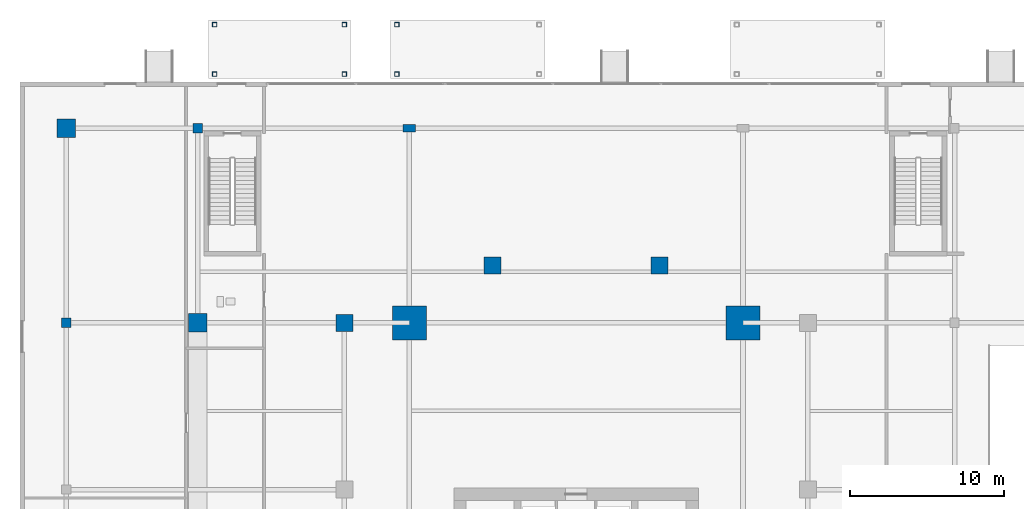
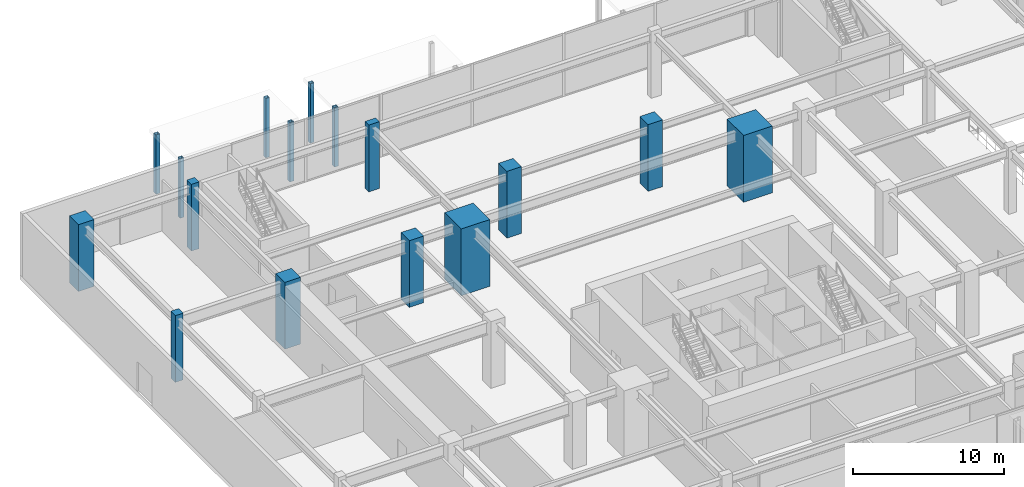
# One storey, part 3 of 28: 16 columns.
"""IFC4 building model written with IfcOpenShell, lengths in metres."""

import ifcopenshell
import ifcopenshell.guid

model = None  # the IFC model being written
_history = None  # IfcOwnerHistory: only IFC2X3 demands one
_inside = {}  # id of a spatial element -> (the spatial element, [elements in it])
_under = {}  # id of a project, library or spatial element -> (it, [spatial elements below it])
_declared = {}  # id of a project -> (the project, [libraries it declares])
_typed = {}  # id of a type object -> (the type object, [elements of that type])
_made_of = {}  # id of a material, layer set ... -> (it, [elements and type objects made of it])


def new_model(schema):
    """Start an empty IFC model of exactly this schema.

    Asked for "IFC4X3", IfcOpenShell would pick the latest addendum, in which some entities
    have other attributes; the version numbers below select the first issue.
    IFC2X3 requires an IfcOwnerHistory on every rooted entity: one is made here for all.
    """
    global model, _history
    if schema == "IFC4X3":
        model = ifcopenshell.file(schema_version=(4, 3, 0, 0))
    else:
        model = ifcopenshell.file(schema=schema)
    _inside.clear()
    _under.clear()
    _declared.clear()
    _typed.clear()
    _made_of.clear()
    _history = None
    if model.schema == "IFC2X3":
        org = make("IfcOrganization", Name="unknown")
        user = make(
            "IfcPersonAndOrganization",
            ThePerson=make("IfcPerson", FamilyName="unknown"),
            TheOrganization=org,
        )
        app = make(
            "IfcApplication",
            ApplicationDeveloper=org,
            Version="unknown",
            ApplicationFullName="unknown",
            ApplicationIdentifier="unknown",
        )
        _history = make(
            "IfcOwnerHistory",
            OwningUser=user,
            OwningApplication=app,
            ChangeAction="ADDED",
            CreationDate=0,
        )
    return model


def make(cls, **values):
    """One entity of the class cls with the attributes given. An attribute that is None is left unset."""
    return model.create_entity(
        cls, **{name: value for name, value in values.items() if value is not None}
    )


def rooted(cls, **values):
    """An entity with a GlobalId (a new one), such as an element, a storey or a relation."""
    return make(cls, GlobalId=ifcopenshell.guid.new(), OwnerHistory=_history, **values)


def si_unit(unit_type, name, prefix=None):
    """IfcSIUnit, for example si_unit("LENGTHUNIT", "METRE", prefix="MILLI")."""
    return make("IfcSIUnit", UnitType=unit_type, Prefix=prefix, Name=name)


def assignment(units):
    """IfcUnitAssignment: the units of a project."""
    return None if units is None else make("IfcUnitAssignment", Units=units)


def point(xyz):
    """IfcCartesianPoint."""
    return None if xyz is None else make("IfcCartesianPoint", Coordinates=xyz)


def direction(xyz):
    """IfcDirection."""
    return None if xyz is None else make("IfcDirection", DirectionRatios=xyz)


def frame(location, z_axis=None, x_axis=None):
    """IfcAxis2Placement3D, a coordinate frame: its origin and axes. An axis left out is left unset."""
    return make(
        "IfcAxis2Placement3D",
        Location=point(location),
        Axis=direction(z_axis),
        RefDirection=direction(x_axis),
    )


def frame_2d(location, x_axis=None):
    """IfcAxis2Placement2D, a coordinate frame in the plane: its origin and x axis."""
    return make(
        "IfcAxis2Placement2D", Location=point(location), RefDirection=direction(x_axis)
    )


def origin():
    """The frame at (0, 0, 0) with its axes left unset."""
    return frame((0.0, 0.0, 0.0))


def origin_2d():
    """The frame at (0, 0) in the plane with its x axis left unset."""
    return frame_2d((0.0, 0.0))


def place(relative_to, where):
    """IfcLocalPlacement: puts the frame where relative to a parent placement (None: the world)."""
    return make(
        "IfcLocalPlacement", PlacementRelTo=relative_to, RelativePlacement=where
    )


def context(
    kind, dimensions, precision=None, world=None, true_north=None, identifier=None
):
    """IfcGeometricRepresentationContext, for example the 3D "Model" context."""
    return make(
        "IfcGeometricRepresentationContext",
        ContextIdentifier=identifier,
        ContextType=kind,
        CoordinateSpaceDimension=dimensions,
        Precision=precision,
        WorldCoordinateSystem=world,
        TrueNorth=true_north,
    )


def subcontext(parent, identifier, kind, view, scale=None):
    """IfcGeometricRepresentationSubContext, for example "Body" below "Model"."""
    return make(
        "IfcGeometricRepresentationSubContext",
        ContextIdentifier=identifier,
        ContextType=kind,
        ParentContext=parent,
        TargetScale=scale,
        TargetView=view,
    )


def project(units=None, contexts=None):
    """IfcProject with its units and contexts."""
    return rooted(
        "IfcProject",
        Name="project",
        RepresentationContexts=contexts,
        UnitsInContext=assignment(units),
    )


def spatial(cls, under=None, at=None, **own):
    """A site, building, storey or space (cls), placed at a placement, below another one or the project."""
    s = rooted(cls, ObjectPlacement=at, **own)
    if under is not None:
        _under.setdefault(under.id(), (under, []))[1].append(s)
    return s


def profile(cls, at=None, kind="AREA", **sizes):
    """A parametric profile (cls). Its sizes go by their IFC names, for example OverallWidth=200.0."""
    return make(cls, ProfileType=kind, Position=at, **sizes)


def rectangle(**sizes):
    """IfcRectangleProfileDef."""
    return profile("IfcRectangleProfileDef", **sizes)


def hollow_rectangle(**sizes):
    """IfcRectangleHollowProfileDef."""
    return profile("IfcRectangleHollowProfileDef", **sizes)


def extrude(swept, where, along, depth):
    """IfcExtrudedAreaSolid: the profile swept, set in the frame where, extruded along a direction by depth."""
    return make(
        "IfcExtrudedAreaSolid",
        SweptArea=swept,
        Position=where,
        ExtrudedDirection=direction(along),
        Depth=depth,
    )


def shape(context_of_items, identifier, shape_type, items):
    """IfcShapeRepresentation: the items that make up one representation, for example the "Body"."""
    return make(
        "IfcShapeRepresentation",
        ContextOfItems=context_of_items,
        RepresentationIdentifier=identifier,
        RepresentationType=shape_type,
        Items=items,
    )


def source(mapping_origin, context_of_items, identifier, shape_type, items):
    """IfcRepresentationMap: a shape defined once, which mapped items show again and again."""
    return make(
        "IfcRepresentationMap",
        MappingOrigin=mapping_origin,
        MappedRepresentation=shape(context_of_items, identifier, shape_type, items),
    )


def transform(
    local_origin,
    x_axis=None,
    y_axis=None,
    z_axis=None,
    scale=None,
    scale2=None,
    scale3=None,
    uniform=True,
):
    """IfcCartesianTransformationOperator3D, or its non-uniform kind. x_axis, y_axis, z_axis: its Axis1, 2, 3."""
    if uniform:
        return make(
            "IfcCartesianTransformationOperator3D",
            Axis1=direction(x_axis),
            Axis2=direction(y_axis),
            LocalOrigin=point(local_origin),
            Scale=scale,
            Axis3=direction(z_axis),
        )
    return make(
        "IfcCartesianTransformationOperator3DnonUniform",
        Axis1=direction(x_axis),
        Axis2=direction(y_axis),
        LocalOrigin=point(local_origin),
        Scale=scale,
        Axis3=direction(z_axis),
        Scale2=scale2,
        Scale3=scale3,
    )


def mapped(mapping_source, mapping_target):
    """IfcMappedItem: shows the shape of a source again, moved by a transform."""
    return make(
        "IfcMappedItem", MappingSource=mapping_source, MappingTarget=mapping_target
    )


def material(Name=None, Category=None):
    """IfcMaterial."""
    return make("IfcMaterial", Name=Name, Category=Category)


def material_profile(
    of_material, cross_section, Name=None, Category=None, Priority=None
):
    """IfcMaterialProfile: a cross section and its material."""
    return make(
        "IfcMaterialProfile",
        Name=Name,
        Material=of_material,
        Profile=cross_section,
        Priority=Priority,
        Category=Category,
    )


def profile_set(profiles, Name=None, composite=None):
    """IfcMaterialProfileSet."""
    return make(
        "IfcMaterialProfileSet",
        Name=Name,
        MaterialProfiles=profiles,
        CompositeProfile=composite,
    )


def made_of(thing, what):
    """Note that an element or type object is made of a material, layer set ...; save() writes the relation."""
    if what is not None:
        _made_of.setdefault(what.id(), (what, []))[1].append(thing)
    return thing


def type_object(cls, material=None, **own):
    """A type object (cls), such as IfcWallType, which elements share."""
    return made_of(rooted(cls, **own), material)


def type_shapes(of_type, sources):
    """Give a type object the sources (RepresentationMaps) that its elements show as mapped items."""
    of_type.RepresentationMaps = sources


def element(
    cls,
    number,
    at=None,
    inside=None,
    cuts=None,
    type_object=None,
    material=None,
    context=None,
    identifier="Body",
    shape_type=None,
    held_by="IfcProductDefinitionShape",
    body=None,
    shapes=None,
    **own,
):
    """One element of the class cls, such as IfcWall. Its Tag is "e" and its number.

    at: its placement. inside: the storey or other place that contains it. cuts: it is an
    opening in that element (IfcRelVoidsElement). A single representation is given by context,
    identifier, shape_type and body (its items); several are given by shapes. held_by: the class
    of the entity that holds the representations. save() writes the other relations.
    """
    e = rooted(cls, Tag="e%d" % number, ObjectPlacement=at, **own)
    if body is not None:
        shapes = [shape(context, identifier, shape_type, body)]
    if shapes is not None:
        e.Representation = make(held_by, Representations=shapes)
    if inside is not None:
        _inside.setdefault(inside.id(), (inside, []))[1].append(e)
    if cuts is not None:
        rooted(
            "IfcRelVoidsElement", RelatingBuildingElement=cuts, RelatedOpeningElement=e
        )
    if type_object is not None:
        _typed.setdefault(type_object.id(), (type_object, []))[1].append(e)
    return made_of(e, material)


def aggregate(whole, parts):
    """IfcRelAggregates: a whole, such as a stair, and the parts it consists of."""
    return rooted("IfcRelAggregates", RelatingObject=whole, RelatedObjects=parts)


def save(model, path):
    """Write the relations noted so far, then the file.

    IfcRelAggregates (storeys below a building ...), IfcRelContainedInSpatialStructure (elements
    in a storey), IfcRelDefinesByType, IfcRelAssociatesMaterial and IfcRelDeclares: one each for
    every whole, place, type object, material and project.
    """
    for whole, parts in _under.values():
        aggregate(whole, parts)
    for where, things in _inside.values():
        rooted(
            "IfcRelContainedInSpatialStructure",
            RelatedElements=things,
            RelatingStructure=where,
        )
    for kind, things in _typed.values():
        rooted("IfcRelDefinesByType", RelatedObjects=things, RelatingType=kind)
    for what, things in _made_of.values():
        rooted("IfcRelAssociatesMaterial", RelatedObjects=things, RelatingMaterial=what)
    for by, libraries in _declared.values():
        rooted("IfcRelDeclares", RelatingContext=by, RelatedDefinitions=libraries)
    model.write(path)


model = new_model("IFC4")

# Units and contexts
model_context = context("Model", 3, precision=1e-05, world=origin(), true_north=direction((0.0, 1.0)))
body_context = subcontext(model_context, "Body", "Model", "MODEL_VIEW")
ifc_project = project(units=[si_unit("LENGTHUNIT", "METRE"), si_unit("AREAUNIT", "SQUARE_METRE"), si_unit("VOLUMEUNIT", "CUBIC_METRE"), si_unit("PLANEANGLEUNIT", "RADIAN"), si_unit("MASSUNIT", "GRAM", prefix="KILO")], contexts=[model_context])

# Site, building, storey
site_placement = place(None, origin())
site = spatial("IfcSite", under=ifc_project, at=site_placement, CompositionType="ELEMENT")
building_placement = place(site_placement, origin())
building = spatial("IfcBuilding", under=site, at=building_placement, Name="Krantzveldt Concourse Tower", CompositionType="ELEMENT")
storey_placement = place(building_placement, origin())
storey = spatial("IfcBuildingStorey", under=building, at=storey_placement, Name="L00", CompositionType="ELEMENT", Elevation=0.0)

# Columns
ifc_material_1 = material(Name="Concrete C60/75", Category="concrete")
ifc_material_profile_1 = material_profile(ifc_material_1, rectangle(XDim=2.199951171875, YDim=2.199951171875, at=origin_2d()), Name="Concrete C60/75", Category="concrete")
ifc_profile_set_1 = profile_set([ifc_material_profile_1], Name="Concrete C60/75 - RC 2200x2200")
column_type_1 = type_object("IfcColumnType", Name="COL-MC-2200", PredefinedType="USERDEFINED", material=ifc_profile_set_1)
shared_shape_1 = source(origin(), body_context, "Body", "SweptSolid", [
    extrude(rectangle(XDim=2.199951171875, YDim=2.199951171875, at=origin_2d()), origin(), (0.0, 0.0, 1.0), 5.39990234375),
])
type_shapes(column_type_1, [shared_shape_1])
for number, where, z_axis, x_axis, name in (
    (1, (46.800048828125, 37.5, 0.0), (0.0, 0.0, 1.0), (1.0, 0.0, 0.0), "MC-NE-L00"),
    (2, (25.199951171875, 37.5, 0.0), (0.0, 0.0, 1.0), (1.0, 0.0, 0.0), "MC-NW-L00"),
):
    element("IfcColumn", number, at=place(storey_placement, frame(where, z_axis=z_axis, x_axis=x_axis)), inside=storey, type_object=column_type_1, Name=name, ObjectType="MEGA COLUMN", PredefinedType="USERDEFINED", context=body_context, shape_type="MappedRepresentation", body=[
        mapped(shared_shape_1, transform((0.0, 0.0, 0.0), x_axis=(1.0, 0.0, 0.0), y_axis=(0.0, 1.0, 0.0), z_axis=(0.0, 0.0, 1.0), scale=1.0)),
    ])
ifc_material_profile_2 = material_profile(ifc_material_1, rectangle(XDim=1.10009765625, YDim=1.10009765625, at=origin_2d()), Name="Concrete C60/75", Category="concrete")
ifc_profile_set_2 = profile_set([ifc_material_profile_2], Name="Concrete C60/75 - RC 1100x1100")
column_type_2 = type_object("IfcColumnType", Name="COL-C-Z1", PredefinedType="COLUMN", material=ifc_profile_set_2)
shared_shape_2 = source(origin(), body_context, "Body", "SweptSolid", [
    extrude(rectangle(XDim=1.10009765625, YDim=1.10009765625, at=origin_2d()), origin(), (0.0, 0.0, 1.0), 5.39990234375),
])
type_shapes(column_type_2, [shared_shape_2])
for number, where, z_axis, x_axis, name in (
    (3, (21.0, 37.5, 0.0), (0.0, 0.0, 1.0), (1.0, 0.0, 0.0), "PC-R03-L00"),
    (4, (30.60009765625, 41.199951171875, 0.0), (0.0, 0.0, 1.0), (1.0, 0.0, 0.0), "PC-R04-L00"),
    (5, (41.39990234375, 41.199951171875, 0.0), (0.0, 0.0, 1.0), (1.0, 0.0, 0.0), "PC-R05-L00"),
):
    element("IfcColumn", number, at=place(storey_placement, frame(where, z_axis=z_axis, x_axis=x_axis)), inside=storey, type_object=column_type_2, Name=name, PredefinedType="COLUMN", context=body_context, shape_type="MappedRepresentation", body=[
        mapped(shared_shape_2, transform((0.0, 0.0, 0.0), x_axis=(1.0, 0.0, 0.0), y_axis=(0.0, 1.0, 0.0), z_axis=(0.0, 0.0, 1.0), scale=1.0)),
    ])
ifc_material_2 = material(Name="Steel S355J2", Category="steel")
ifc_material_profile_3 = material_profile(ifc_material_2, hollow_rectangle(XDim=0.300048828125, YDim=0.300048828125, WallThickness=0.02001953125, at=origin_2d()), Name="Steel S355J2", Category="steel")
ifc_profile_set_3 = profile_set([ifc_material_profile_3], Name="Steel S355J2 - SHS 300x300x20")
column_type_3 = type_object("IfcColumnType", Name="COL-SC-CRN300", PredefinedType="COLUMN", material=ifc_profile_set_3)
shared_shape_3 = source(origin(), body_context, "Body", "SweptSolid", [
    extrude(hollow_rectangle(XDim=0.300048828125, YDim=0.300048828125, WallThickness=0.02001953125, at=origin_2d()), origin(), (0.0, 0.0, 1.0), 4.800048828125),
])
type_shapes(column_type_3, [shared_shape_3])
for number, where, z_axis, x_axis, name in (
    (6, (12.60009765625, 56.800048828125, 0.0), (0.0, 0.0, 1.0), (1.0, 0.0, 0.0), "CP-N1W"),
    (7, (21.0, 56.800048828125, 0.0), (0.0, 0.0, 1.0), (1.0, 0.0, 0.0), "CP-N1E"),
    (8, (12.60009765625, 53.60009765625, 0.0), (0.0, 0.0, 1.0), (1.0, 0.0, 0.0), "CP-N1WI"),
    (9, (21.0, 53.60009765625, 0.0), (0.0, 0.0, 1.0), (1.0, 0.0, 0.0), "CP-N1EI"),
    (10, (24.39990234375, 56.800048828125, 0.0), (0.0, 0.0, 1.0), (1.0, 0.0, 0.0), "CP-N3W"),
    (11, (24.39990234375, 53.60009765625, 0.0), (0.0, 0.0, 1.0), (1.0, 0.0, 0.0), "CP-N3WI"),
):
    element("IfcColumn", number, at=place(storey_placement, frame(where, z_axis=z_axis, x_axis=x_axis)), inside=storey, type_object=column_type_3, Name=name, PredefinedType="COLUMN", context=body_context, shape_type="MappedRepresentation", body=[
        mapped(shared_shape_3, transform((0.0, 0.0, 0.0), x_axis=(1.0, 0.0, 0.0), y_axis=(0.0, 1.0, 0.0), z_axis=(0.0, 0.0, 1.0), scale=1.0)),
    ])
ifc_material_3 = material(Name="Concrete C40/50", Category="concrete")
ifc_material_profile_4 = material_profile(ifc_material_3, rectangle(XDim=0.60009765625, YDim=0.60009765625, at=origin_2d()), Name="Concrete C40/50", Category="concrete")
ifc_profile_set_4 = profile_set([ifc_material_profile_4], Name="Concrete C40/50 - RC 600x600")
column_type_4 = type_object("IfcColumnType", Name="COL-C-POD", PredefinedType="COLUMN", material=ifc_profile_set_4)
shared_shape_4 = source(origin(), body_context, "Body", "SweptSolid", [
    extrude(rectangle(XDim=0.60009765625, YDim=0.60009765625, at=origin_2d()), origin(), (0.0, 0.0, 1.0), 5.39990234375),
])
type_shapes(column_type_4, [shared_shape_4])
for number, where, z_axis, x_axis, name in (
    (12, (3.0, 37.5, 0.0), (0.0, 0.0, 1.0), (1.0, 0.0, 0.0), "PC-W3-L00"),
    (13, (11.5, 50.10009765625, 0.0), (0.0, 0.0, 1.0), (1.0, 0.0, 0.0), "PC-IW4-L00"),
):
    element("IfcColumn", number, at=place(storey_placement, frame(where, z_axis=z_axis, x_axis=x_axis)), inside=storey, type_object=column_type_4, Name=name, PredefinedType="COLUMN", context=body_context, shape_type="MappedRepresentation", body=[
        mapped(shared_shape_4, transform((0.0, 0.0, 0.0), x_axis=(1.0, 0.0, 0.0), y_axis=(0.0, 1.0, 0.0), z_axis=(0.0, 0.0, 1.0), scale=1.0)),
    ])
ifc_material_4 = material(Name="Concrete C50/60", Category="concrete")
ifc_material_profile_5 = material_profile(ifc_material_4, rectangle(XDim=1.199951171875, YDim=1.199951171875, at=origin_2d()), Name="Concrete C50/60", Category="concrete")
ifc_profile_set_5 = profile_set([ifc_material_profile_5], Name="Concrete C50/60 - RC 1200x1200")
column_type_5 = type_object("IfcColumnType", Name="COL-MC-1200", PredefinedType="USERDEFINED", material=ifc_profile_set_5)
shared_shape_5 = source(origin(), body_context, "Body", "SweptSolid", [
    extrude(rectangle(XDim=1.199951171875, YDim=1.199951171875, at=origin_2d()), origin(), (0.0, 0.0, 1.0), 5.39990234375),
])
type_shapes(column_type_5, [shared_shape_5])
for number, where, z_axis, x_axis, name in (
    (14, (3.0, 50.10009765625, 0.0), (0.0, 0.0, 1.0), (1.0, 0.0, 0.0), "PC-NW-L00"),
    (15, (11.5, 37.5, 0.0), (0.0, 0.0, 1.0), (1.0, 0.0, 0.0), "PC-IW3-L00"),
):
    element("IfcColumn", number, at=place(storey_placement, frame(where, z_axis=z_axis, x_axis=x_axis)), inside=storey, type_object=column_type_5, Name=name, ObjectType="MEGA COLUMN", PredefinedType="USERDEFINED", context=body_context, shape_type="MappedRepresentation", body=[
        mapped(shared_shape_5, transform((0.0, 0.0, 0.0), x_axis=(1.0, 0.0, 0.0), y_axis=(0.0, 1.0, 0.0), z_axis=(0.0, 0.0, 1.0), scale=1.0)),
    ])
ifc_material_profile_6 = material_profile(ifc_material_4, rectangle(XDim=0.800048828125, YDim=0.5, at=origin_2d()), Name="Concrete C50/60", Category="concrete")
ifc_profile_set_6 = profile_set([ifc_material_profile_6], Name="Concrete C50/60 - RC-PIL 800x500")
column_type_6 = type_object("IfcColumnType", Name="COL-PIL-800", PredefinedType="PILASTER", material=ifc_profile_set_6)
shared_shape_6 = source(origin(), body_context, "Body", "SweptSolid", [
    extrude(rectangle(XDim=0.800048828125, YDim=0.5, at=origin_2d()), origin(), (0.0, 0.0, 1.0), 5.39990234375),
])
type_shapes(column_type_6, [shared_shape_6])
column_placement = place(storey_placement, frame((25.199951171875, 50.10009765625, 0.0), z_axis=(0.0, 0.0, 1.0), x_axis=(1.0, 0.0, 0.0)))
element("IfcColumn", 16, at=column_placement, inside=storey, type_object=column_type_6, Name="PC-PIL3-L00", PredefinedType="PILASTER", context=body_context, shape_type="MappedRepresentation", body=[
    mapped(shared_shape_6, transform((0.0, 0.0, 0.0), x_axis=(1.0, 0.0, 0.0), y_axis=(0.0, 1.0, 0.0), z_axis=(0.0, 0.0, 1.0), scale=1.0)),
])

save(model, "model.ifc")
